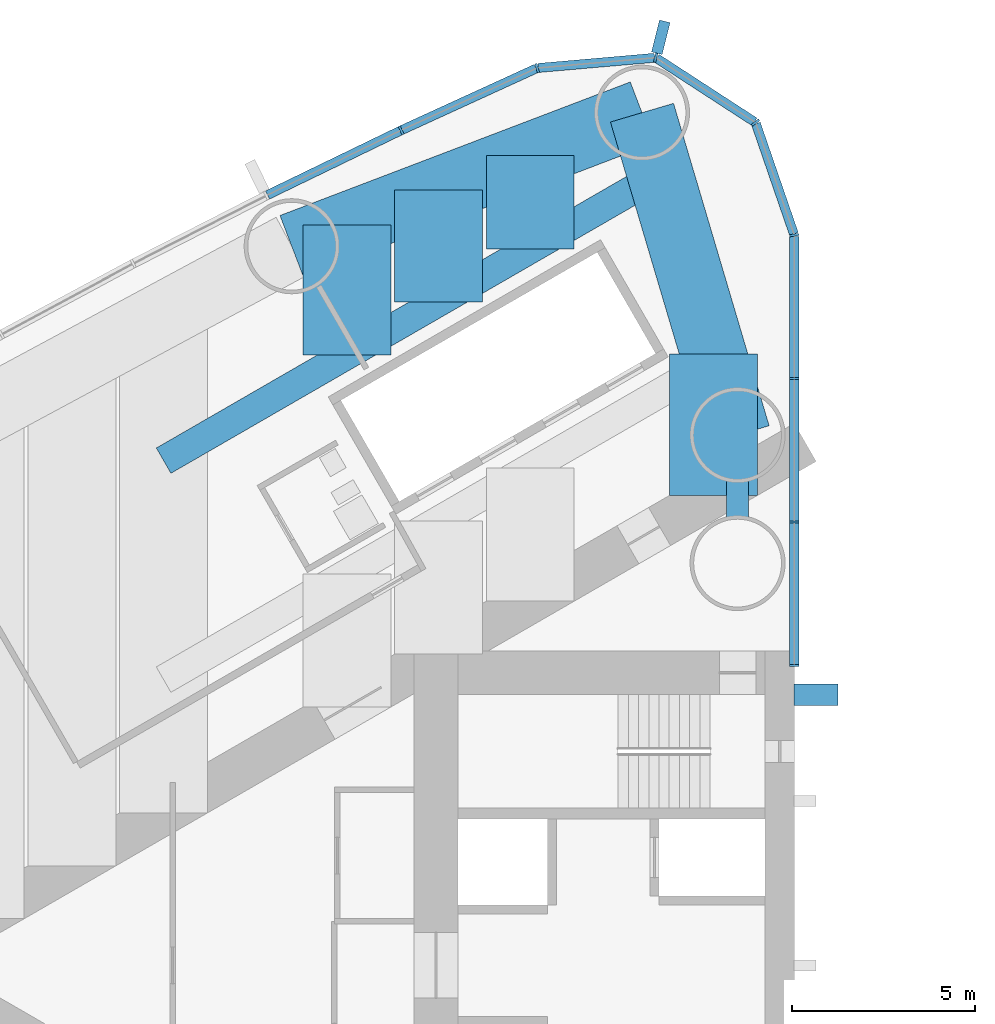
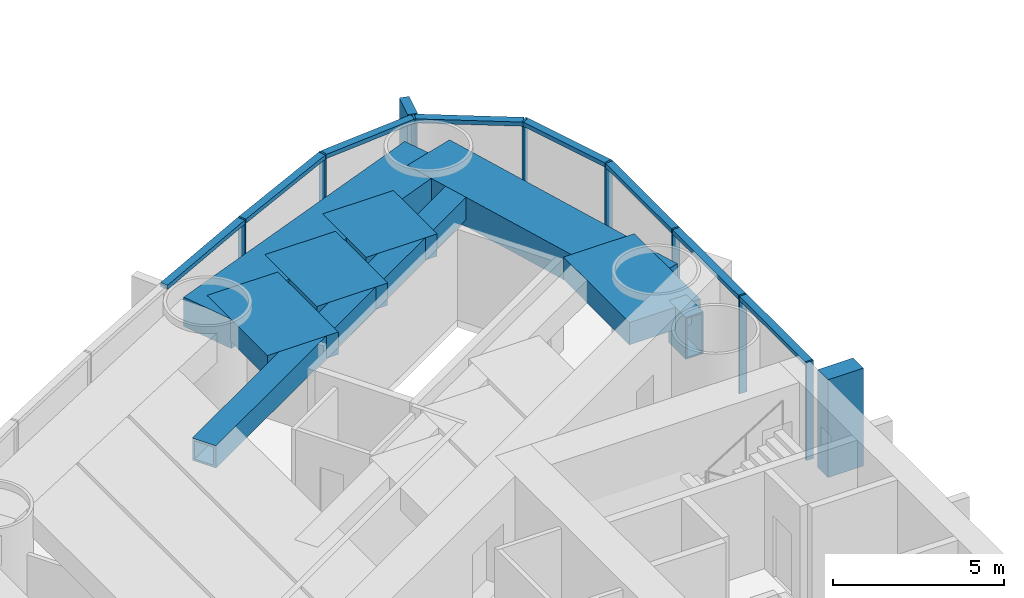
# One storey, part 5 of 18: 18 members, 8 beams, 1 element without a shape of its own.
"""IFC4 building model written with IfcOpenShell, lengths in metres."""

from ifc_helpers import new_model, si_unit, direction, frame, origin, origin_2d, place, context, subcontext, project, spatial, rectangle, hollow_rectangle, extrude, material, material_profile, profile_set, type_object, element, aggregate, save


model = new_model("IFC4")

# Units and contexts
model_context = context("Model", 3, precision=1e-05, world=origin(), true_north=direction((0.0, 1.0)))
body_context = subcontext(model_context, "Body", "Model", "MODEL_VIEW")
ifc_project = project(units=[si_unit("LENGTHUNIT", "METRE"), si_unit("AREAUNIT", "SQUARE_METRE"), si_unit("VOLUMEUNIT", "CUBIC_METRE"), si_unit("PLANEANGLEUNIT", "RADIAN"), si_unit("MASSUNIT", "GRAM", prefix="KILO")], contexts=[model_context])

# Site, building, storey
site_placement = place(None, origin())
site = spatial("IfcSite", under=ifc_project, at=site_placement, CompositionType="ELEMENT")
building_placement = place(site_placement, origin())
building = spatial("IfcBuilding", under=site, at=building_placement, Name="Lancet Gate Hotel", CompositionType="ELEMENT")
storey_placement = place(building_placement, frame((0.0, 0.0, 104.60009765625)))
storey = spatial("IfcBuildingStorey", under=building, at=storey_placement, Name="L27", CompositionType="ELEMENT", Elevation=104.60009765625)

# Curtain wall, members
ifc_material_1 = material(Name="Aluminium curtain wall", Category="aluminium")
curtain_wall_type = type_object("IfcCurtainWallType", Name="Tower unitised curtain wall", PredefinedType="USERDEFINED", material=ifc_material_1)
curtain_wall_placement = place(storey_placement, origin())
curtain_wall = element("IfcCurtainWall", 1, at=curtain_wall_placement, inside=storey, type_object=curtain_wall_type, Name="T1 L27 curtain wall 1", ObjectType="UNITISED CURTAIN WALL", PredefinedType="USERDEFINED")
ifc_material_2 = material(Name="Aluminium mullion", Category="aluminium")
ifc_material_profile_1 = material_profile(ifc_material_2, rectangle(XDim=0.06494140625, YDim=0.25, at=origin_2d()), Name="MULLION 65x250")
ifc_profile_set_1 = profile_set([ifc_material_profile_1], Name="Aluminium mullion")
member_type_1 = type_object("IfcMemberType", Name="Aluminium mullion 65x250", PredefinedType="MULLION", material=ifc_profile_set_1)
member_1_placement = place(storey_placement, frame((-27.5, 8.199951171875, 0.0), z_axis=(0.0, 0.0, 1.0), x_axis=(0.0, 1.0, 0.0)))
member_1 = element("IfcMember", 2, at=member_1_placement, type_object=member_type_1, Name="T1 L27 curtain wall 1 mullion 1", PredefinedType="MULLION", context=body_context, shape_type="SweptSolid", body=[
    extrude(rectangle(XDim=0.06494140625, YDim=0.25, at=origin_2d()), origin(), (0.0, 0.0, 1.0), 3.5),
])
member_2_placement = place(storey_placement, frame((-27.5, 12.123779296875, 0.0), z_axis=(0.0, 0.0, 1.0), x_axis=(0.0, 1.0, 0.0)))
member_2 = element("IfcMember", 3, at=member_2_placement, type_object=member_type_1, Name="T1 L27 curtain wall 1 mullion 2", PredefinedType="MULLION", context=body_context, shape_type="SweptSolid", body=[
    extrude(rectangle(XDim=0.06494140625, YDim=0.25, at=origin_2d()), origin(), (0.0, 0.0, 1.0), 3.5),
])
member_3_placement = place(storey_placement, frame((-27.5, 16.04736328125, 0.0), z_axis=(0.0, 0.0, 1.0), x_axis=(0.0, 1.0, 0.0)))
member_3 = element("IfcMember", 4, at=member_3_placement, type_object=member_type_1, Name="T1 L27 curtain wall 1 mullion 3", PredefinedType="MULLION", context=body_context, shape_type="SweptSolid", body=[
    extrude(rectangle(XDim=0.06494140625, YDim=0.25, at=origin_2d()), origin(), (0.0, 0.0, 1.0), 3.5),
])
member_4_placement = place(storey_placement, frame((-27.5, 19.97119140625, 0.0), z_axis=(0.0, 0.0, 1.0), x_axis=(-0.149634446211, 0.988741388082, 0.0)))
member_4 = element("IfcMember", 5, at=member_4_placement, type_object=member_type_1, Name="T1 L27 curtain wall 1 mullion 4", PredefinedType="MULLION", context=body_context, shape_type="SweptSolid", body=[
    extrude(rectangle(XDim=0.06494140625, YDim=0.25, at=origin_2d()), origin(), (0.0, 0.0, 1.0), 3.5),
])
member_5_placement = place(storey_placement, frame((-28.5595703125, 23.049072265625, 0.0), z_axis=(0.0, 0.0, 1.0), x_axis=(-0.615574240878, 0.788078900851, 0.0)))
member_5 = element("IfcMember", 6, at=member_5_placement, type_object=member_type_1, Name="T1 L27 curtain wall 1 mullion 5", PredefinedType="MULLION", context=body_context, shape_type="SweptSolid", body=[
    extrude(rectangle(XDim=0.06494140625, YDim=0.25, at=origin_2d()), origin(), (0.0, 0.0, 1.0), 3.5),
])
member_6_placement = place(storey_placement, frame((-31.289306640625, 24.822265625, 0.0), z_axis=(0.0, 0.0, 1.0), x_axis=(-0.970242142288, 0.242136707934, 0.0)))
member_6 = element("IfcMember", 7, at=member_6_placement, type_object=member_type_1, Name="T1 L27 curtain wall 1 mullion 6", PredefinedType="MULLION", context=body_context, shape_type="SweptSolid", body=[
    extrude(rectangle(XDim=0.06494140625, YDim=0.25, at=origin_2d()), origin(), (0.0, 0.0, 1.0), 3.5),
])
member_7_placement = place(storey_placement, frame((-34.5322265625, 24.53955078125, 0.0), z_axis=(0.0, 0.0, 1.0), x_axis=(-0.961653318232, -0.27426792655, 0.0)))
member_7 = element("IfcMember", 8, at=member_7_placement, type_object=member_type_1, Name="T1 L27 curtain wall 1 mullion 7", PredefinedType="MULLION", context=body_context, shape_type="SweptSolid", body=[
    extrude(rectangle(XDim=0.06494140625, YDim=0.25, at=origin_2d()), origin(), (0.0, 0.0, 1.0), 3.5),
])
member_8_placement = place(storey_placement, frame((-38.25244140625, 22.83642578125, 0.0), z_axis=(0.0, 0.0, 1.0), x_axis=(-0.904719609771, -0.426007544178, 0.0)))
member_8 = element("IfcMember", 9, at=member_8_placement, type_object=member_type_1, Name="T1 L27 curtain wall 1 mullion 8", PredefinedType="MULLION", context=body_context, shape_type="SweptSolid", body=[
    extrude(rectangle(XDim=0.06494140625, YDim=0.25, at=origin_2d()), origin(), (0.0, 0.0, 1.0), 3.5),
])
ifc_material_3 = material(Name="Aluminium transom", Category="aluminium")
ifc_material_profile_2 = material_profile(ifc_material_3, rectangle(XDim=0.25, YDim=0.14990234375, at=origin_2d()), Name="TRANSOM 250x150")
ifc_profile_set_2 = profile_set([ifc_material_profile_2], Name="Aluminium transom")
member_type_2 = type_object("IfcMemberType", Name="Aluminium transom 250x150", PredefinedType="USERDEFINED", material=ifc_profile_set_2)
member_9_placement = place(storey_placement, frame((-27.5, 8.232421875, 3.4248046875), z_axis=(0.0, 1.0, 0.0), x_axis=(-1.0, 0.0, 0.0)))
member_9 = element("IfcMember", 10, at=member_9_placement, type_object=member_type_2, Name="T1 L27 curtain wall 1 transom 1", ObjectType="TRANSOM", PredefinedType="USERDEFINED", context=body_context, shape_type="SweptSolid", body=[
    extrude(rectangle(XDim=0.25, YDim=0.14990234375, at=origin_2d()), origin(), (0.0, 0.0, 1.0), 3.85888671875),
])
member_10_placement = place(storey_placement, frame((-27.5, 12.15625, 3.4248046875), z_axis=(0.0, 1.0, 0.0), x_axis=(-1.0, 0.0, 0.0)))
member_10 = element("IfcMember", 11, at=member_10_placement, type_object=member_type_2, Name="T1 L27 curtain wall 1 transom 2", ObjectType="TRANSOM", PredefinedType="USERDEFINED", context=body_context, shape_type="SweptSolid", body=[
    extrude(rectangle(XDim=0.25, YDim=0.14990234375, at=origin_2d()), origin(), (0.0, 0.0, 1.0), 3.858642578125),
])
member_11_placement = place(storey_placement, frame((-27.5, 16.079833984375, 3.4248046875), z_axis=(0.0, 1.0, 0.0), x_axis=(-1.0, 0.0, 0.0)))
member_11 = element("IfcMember", 12, at=member_11_placement, type_object=member_type_2, Name="T1 L27 curtain wall 1 transom 3", ObjectType="TRANSOM", PredefinedType="USERDEFINED", context=body_context, shape_type="SweptSolid", body=[
    extrude(rectangle(XDim=0.25, YDim=0.14990234375, at=origin_2d()), origin(), (0.0, 0.0, 1.0), 3.858642578125),
])
member_12_placement = place(storey_placement, frame((-27.510498046875, 20.001708984375, 3.4248046875), z_axis=(-0.32553312754, 0.945530635609, 0.0), x_axis=(-0.945530635609, -0.32553312754, 0.0)))
member_12 = element("IfcMember", 13, at=member_12_placement, type_object=member_type_2, Name="T1 L27 curtain wall 1 transom 4", ObjectType="TRANSOM", PredefinedType="USERDEFINED", context=body_context, shape_type="SweptSolid", body=[
    extrude(rectangle(XDim=0.25, YDim=0.14990234375, at=origin_2d()), origin(), (0.0, 0.0, 1.0), 3.1904296875),
])
member_13_placement = place(storey_placement, frame((-28.5869140625, 23.066650390625, 3.4248046875), z_axis=(-0.838550259452, 0.544824249068, 0.0), x_axis=(-0.544824249068, -0.838550259452, 0.0)))
member_13 = element("IfcMember", 14, at=member_13_placement, type_object=member_type_2, Name="T1 L27 curtain wall 1 transom 5", ObjectType="TRANSOM", PredefinedType="USERDEFINED", context=body_context, shape_type="SweptSolid", body=[
    extrude(rectangle(XDim=0.25, YDim=0.14990234375, at=origin_2d()), origin(), (0.0, 0.0, 1.0), 3.190185546875),
])
member_14_placement = place(storey_placement, frame((-31.32177734375, 24.819580078125, 3.4248046875), z_axis=(-0.996213545522, -0.086940046686, 0.0), x_axis=(0.086940046686, -0.996213545522, 0.0)))
member_14 = element("IfcMember", 15, at=member_14_placement, type_object=member_type_2, Name="T1 L27 curtain wall 1 transom 6", ObjectType="TRANSOM", PredefinedType="USERDEFINED", context=body_context, shape_type="SweptSolid", body=[
    extrude(rectangle(XDim=0.25, YDim=0.14990234375, at=origin_2d()), origin(), (0.0, 0.0, 1.0), 3.18994140625),
])
member_15_placement = place(storey_placement, frame((-34.561767578125, 24.52587890625, 3.4248046875), z_axis=(-0.909252284196, -0.416245460857, 0.0), x_axis=(0.416245460857, -0.909252284196, 0.0)))
member_15 = element("IfcMember", 16, at=member_15_placement, type_object=member_type_2, Name="T1 L27 curtain wall 1 transom 7", ObjectType="TRANSOM", PredefinedType="USERDEFINED", context=body_context, shape_type="SweptSolid", body=[
    extrude(rectangle(XDim=0.25, YDim=0.14990234375, at=origin_2d()), origin(), (0.0, 0.0, 1.0), 4.026611328125),
])
member_16_placement = place(storey_placement, frame((-38.28173828125, 22.822265625, 3.4248046875), z_axis=(-0.900065677074, -0.435754262117, 0.0), x_axis=(0.435754262117, -0.900065677074, 0.0)))
member_16 = element("IfcMember", 17, at=member_16_placement, type_object=member_type_2, Name="T1 L27 curtain wall 1 transom 8", ObjectType="TRANSOM", PredefinedType="USERDEFINED", context=body_context, shape_type="SweptSolid", body=[
    extrude(rectangle(XDim=0.25, YDim=0.14990234375, at=origin_2d()), origin(), (0.0, 0.0, 1.0), 4.026611328125),
])

# Beams
ifc_material_4 = material(Name="Concrete C50/60", Category="concrete")
ifc_material_profile_3 = material_profile(ifc_material_4, rectangle(XDim=1.800048828125, YDim=1.050048828125, at=origin_2d()), Name="RC 1800x1050")
ifc_profile_set_3 = profile_set([ifc_material_profile_3], Name="Concrete C50/60")
beam_type_1 = type_object("IfcBeamType", Name="Edge beam RC 1800x1050", PredefinedType="SPANDREL", material=ifc_profile_set_3)
beam_1_placement = place(storey_placement, frame((-31.66455078125, 23.318359375, 2.724853515625), z_axis=(-0.934392266213, -0.356245832033, 0.0), x_axis=(0.356245832033, -0.934392266213, 0.0)))
element("IfcBeam", 18, at=beam_1_placement, inside=storey, type_object=beam_type_1, Name="T1 edge beam EB1 L27", PredefinedType="SPANDREL", context=body_context, shape_type="SweptSolid", body=[
    extrude(rectangle(XDim=1.800048828125, YDim=1.050048828125, at=origin_2d()), origin(), (0.0, 0.0, 1.0), 10.2529296875),
])
beam_2_placement = place(storey_placement, frame((-31.66455078125, 23.318359375, 2.724853515625), z_axis=(0.284253711522, -0.958749095168, 0.0), x_axis=(0.958749095168, 0.284253711522, 0.0)))
element("IfcBeam", 19, at=beam_2_placement, inside=storey, type_object=beam_type_1, Name="T1 edge beam EB1 L27", PredefinedType="SPANDREL", context=body_context, shape_type="SweptSolid", body=[
    extrude(rectangle(XDim=1.800048828125, YDim=1.050048828125, at=origin_2d()), origin(), (0.0, 0.0, 1.0), 9.19775390625),
])

# Member
ifc_material_5 = material(Name="Concrete C60/75", Category="concrete")
ifc_material_profile_4 = material_profile(ifc_material_5, rectangle(XDim=0.60009765625, YDim=1.199951171875, at=origin_2d()), Name="FIN 600x1200")
ifc_profile_set_4 = profile_set([ifc_material_profile_4], Name="Concrete C60/75")
member_type_3 = type_object("IfcMemberType", Name="Exposed concrete buttress pilaster 600x1200", PredefinedType="USERDEFINED", material=ifc_profile_set_4)
member_17_placement = place(storey_placement, frame((-26.909912109375, 7.39990234375, 0.0), z_axis=(0.0, 0.0, 1.0), x_axis=(0.0, 1.0, 0.0)))
element("IfcMember", 20, at=member_17_placement, inside=storey, type_object=member_type_3, Name="T1 buttress pilaster S L27", ObjectType="FIN", PredefinedType="USERDEFINED", context=body_context, shape_type="SweptSolid", body=[
    extrude(rectangle(XDim=0.60009765625, YDim=1.199951171875, at=origin_2d()), origin(), (0.0, 0.0, 1.0), 3.5),
])

ifc_material_6 = material(Name="Precast concrete C50/60", Category="concrete")
ifc_material_profile_5 = material_profile(ifc_material_6, rectangle(XDim=0.300048828125, YDim=0.89990234375, at=origin_2d()), Name="FIN 300x900")
ifc_profile_set_5 = profile_set([ifc_material_profile_5], Name="Precast concrete C50/60")
member_type_4 = type_object("IfcMemberType", Name="Exposed concrete fin 300x900", PredefinedType="USERDEFINED", material=ifc_profile_set_5)
member_18_placement = place(storey_placement, frame((-31.150146484375, 25.380126953125, 0.0), z_axis=(0.0, 0.0, 1.0), x_axis=(-0.970242142288, 0.242136707934, 0.0)))
member_18 = element("IfcMember", 21, at=member_18_placement, type_object=member_type_4, Name="T1 L27 curtain wall 1 fin 6", ObjectType="FIN", PredefinedType="USERDEFINED", context=body_context, shape_type="SweptSolid", body=[
    extrude(rectangle(XDim=0.300048828125, YDim=0.89990234375, at=origin_2d()), origin(), (0.0, 0.0, 1.0), 3.5),
])

aggregate(curtain_wall, [member_1, member_2, member_3, member_4, member_5, member_6, member_18, member_7, member_8, member_9, member_10, member_11, member_12, member_13, member_14, member_15, member_16])

# Beams
ifc_material_7 = material(Name="Concrete C50/60", Category="concrete")
ifc_material_profile_6 = material_profile(ifc_material_7, rectangle(XDim=2.39990234375, YDim=0.800048828125, at=origin_2d()), Name="RC 2400x800")
ifc_profile_set_6 = profile_set([ifc_material_profile_6], Name="Concrete C50/60")
beam_type_2 = type_object("IfcBeamType", Name="Floor beam RC 2400x800", PredefinedType="BEAM", material=ifc_profile_set_6)
beam_3_placement = place(storey_placement, frame((-29.706787109375, 16.71533203125, 2.849853515625), z_axis=(0.0, -1.0, 0.0), x_axis=(1.0, 0.0, 0.0)))
element("IfcBeam", 22, at=beam_3_placement, inside=storey, type_object=beam_type_2, Name="T1 floor beam F02S L27", PredefinedType="BEAM", context=body_context, shape_type="SweptSolid", body=[
    extrude(rectangle(XDim=2.39990234375, YDim=0.800048828125, at=origin_2d()), origin(), (0.0, 0.0, 1.0), 3.86279296875),
])
beam_4_placement = place(storey_placement, frame((-34.720458984375, 22.1533203125, 2.849853515625), z_axis=(0.0, -1.0, 0.0), x_axis=(1.0, 0.0, 0.0)))
element("IfcBeam", 23, at=beam_4_placement, inside=storey, type_object=beam_type_2, Name="T1 floor beam F04SA L27", PredefinedType="BEAM", context=body_context, shape_type="SweptSolid", body=[
    extrude(rectangle(XDim=2.39990234375, YDim=0.800048828125, at=origin_2d()), origin(), (0.0, 0.0, 1.0), 2.561767578125),
])
beam_5_placement = place(storey_placement, frame((-37.227294921875, 21.197509765625, 2.849853515625), z_axis=(0.0, -1.0, 0.0), x_axis=(1.0, 0.0, 0.0)))
element("IfcBeam", 24, at=beam_5_placement, inside=storey, type_object=beam_type_2, Name="T1 floor beam F05SA L27", PredefinedType="BEAM", context=body_context, shape_type="SweptSolid", body=[
    extrude(rectangle(XDim=2.39990234375, YDim=0.800048828125, at=origin_2d()), origin(), (0.0, 0.0, 1.0), 3.053466796875),
])
beam_6_placement = place(storey_placement, frame((-39.734130859375, 20.24169921875, 2.849853515625), z_axis=(0.0, -1.0, 0.0), x_axis=(1.0, 0.0, 0.0)))
element("IfcBeam", 25, at=beam_6_placement, inside=storey, type_object=beam_type_2, Name="T1 floor beam F07SA L27", PredefinedType="BEAM", context=body_context, shape_type="SweptSolid", body=[
    extrude(rectangle(XDim=2.39990234375, YDim=0.800048828125, at=origin_2d()), origin(), (0.0, 0.0, 1.0), 3.545166015625),
])
ifc_material_8 = material(Name="Steel S460QL", Category="steel")
ifc_material_profile_7 = material_profile(ifc_material_8, hollow_rectangle(XDim=0.60009765625, YDim=1.5, WallThickness=0.050048828125, at=origin_2d()), Name="BOX 1500x600x50")
ifc_profile_set_7 = profile_set([ifc_material_profile_7], Name="Steel S460QL")
beam_type_3 = type_object("IfcBeamType", Name="Inner-face link beam BOX 1500x600x50", PredefinedType="BEAM", material=ifc_profile_set_7)
beam_7_placement = place(storey_placement, frame((-29.050048828125, 13.25, 2.5), z_axis=(0.0, -1.0, 0.0), x_axis=(1.0, 0.0, 0.0)))
element("IfcBeam", 26, at=beam_7_placement, inside=storey, type_object=beam_type_3, Name="T1 inner-face link beam LK1 L27", PredefinedType="BEAM", context=body_context, shape_type="SweptSolid", body=[
    extrude(hollow_rectangle(XDim=0.60009765625, YDim=1.5, WallThickness=0.050048828125, at=origin_2d()), origin(), (0.0, 0.0, 1.0), 1.0),
])
ifc_material_9 = material(Name="Steel S460QL", Category="steel")
ifc_material_profile_8 = material_profile(ifc_material_9, hollow_rectangle(XDim=0.800048828125, YDim=0.800048828125, WallThickness=0.080078125, at=origin_2d()), Name="BOX 800x800x80")
ifc_profile_set_8 = profile_set([ifc_material_profile_8], Name="Steel S460QL")
beam_type_4 = type_object("IfcBeamType", Name="Trimmer beam BOX 800x800x80", PredefinedType="BEAM", material=ifc_profile_set_8)
beam_8_placement = place(storey_placement, frame((-31.16796875, 21.642822265625, 2.849853515625), z_axis=(-0.866004868127, -0.500035567115, 0.0), x_axis=(0.500035567115, -0.866004868127, 0.0)))
element("IfcBeam", 27, at=beam_8_placement, inside=storey, type_object=beam_type_4, Name="T1 trimmer beam TR04S L27", PredefinedType="BEAM", context=body_context, shape_type="SweptSolid", body=[
    extrude(hollow_rectangle(XDim=0.800048828125, YDim=0.800048828125, WallThickness=0.080078125, at=origin_2d()), origin(), (0.0, 0.0, 1.0), 15.680908203125),
])

save(model, "model.ifc")
